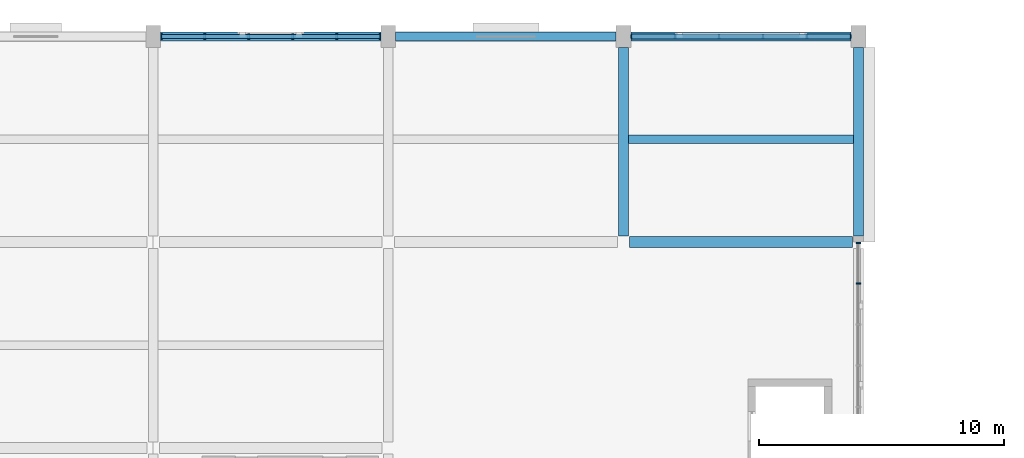
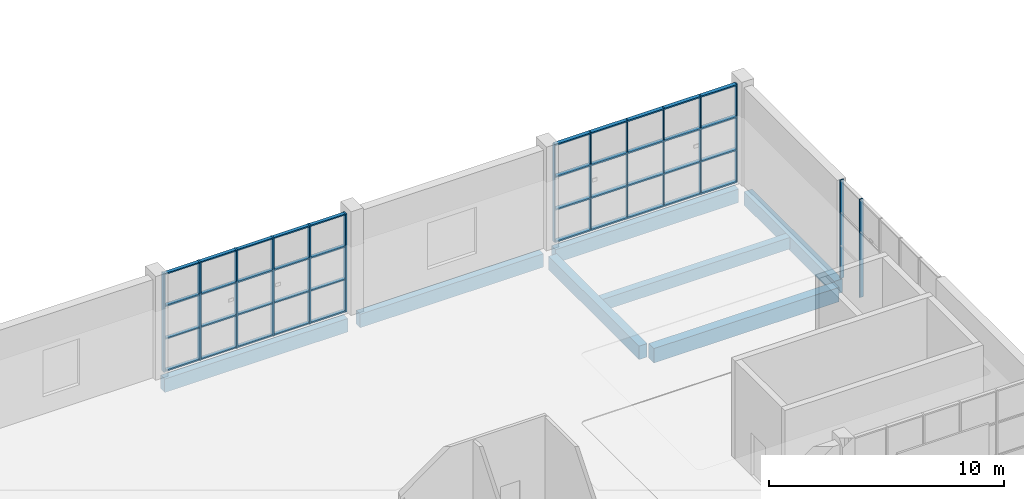
# One storey, part 21 of 57: 22 members, 7 beams, 3 elements without a shape of their own.
"""IFC4 building model written with IfcOpenShell, lengths in metres."""

from ifc_helpers import new_model, si_unit, direction, frame, origin, origin_2d, place, context, subcontext, project, spatial, rectangle, extrude, material, material_profile, profile_set, type_object, element, aggregate, save


model = new_model("IFC4")

# Units and contexts
model_context = context("Model", 3, precision=1e-05, world=origin(), true_north=direction((0.0, 1.0)))
body_context = subcontext(model_context, "Body", "Model", "MODEL_VIEW")
ifc_project = project(units=[si_unit("LENGTHUNIT", "METRE"), si_unit("AREAUNIT", "SQUARE_METRE"), si_unit("VOLUMEUNIT", "CUBIC_METRE"), si_unit("PLANEANGLEUNIT", "RADIAN"), si_unit("MASSUNIT", "GRAM", prefix="KILO")], contexts=[model_context])

# Site, building, storey
site_placement = place(None, origin())
site = spatial("IfcSite", under=ifc_project, at=site_placement, CompositionType="ELEMENT")
building_placement = place(site_placement, origin())
building = spatial("IfcBuilding", under=site, at=building_placement, Name="Shalvenor Court Art Gallery", CompositionType="ELEMENT")
storey_placement = place(building_placement, frame((0.0, 0.0, 16.800048828125)))
storey = spatial("IfcBuildingStorey", under=building, at=storey_placement, Name="L03", CompositionType="ELEMENT", Elevation=16.800048828125)

# Beams
ifc_material_1 = material(Name="Concrete C40/50", Category="concrete")
ifc_material_profile_1 = material_profile(ifc_material_1, rectangle(XDim=0.449951171875, YDim=0.75, at=origin_2d()), Name="RC 450x750")
ifc_profile_set_1 = profile_set([ifc_material_profile_1], Name="Concrete C40/50")
beam_type_1 = type_object("IfcBeamType", Name="B-04", PredefinedType="BEAM", material=ifc_profile_set_1)
beam_1_placement = place(storey_placement, frame((115.449951171875, 114.0, -0.675048828125), z_axis=(1.0, 0.0, 0.0), x_axis=(0.0, 1.0, 0.0)))
element("IfcBeam", 1, at=beam_1_placement, inside=storey, type_object=beam_type_1, Name="L03 Girder BM-L03-B-04-1119", PredefinedType="BEAM", context=body_context, shape_type="SweptSolid", body=[
    extrude(rectangle(XDim=0.449951171875, YDim=0.75, at=origin_2d()), origin(), (0.0, 0.0, 1.0), 9.10009765625),
])
ifc_material_2 = material(Name="Concrete C40/50", Category="concrete")
ifc_material_profile_2 = material_profile(ifc_material_2, rectangle(XDim=0.39990234375, YDim=0.699951171875, at=origin_2d()), Name="RC 400x700")
ifc_profile_set_2 = profile_set([ifc_material_profile_2], Name="Concrete C40/50")
beam_type_2 = type_object("IfcBeamType", Name="B-05", PredefinedType="BEAM", material=ifc_profile_set_2)
for number, where, z_axis, x_axis, name in (
    (2, (115.199951171875, 114.25, -0.650146484375), (0.0, 1.0, 0.0), (-1.0, 0.0, 0.0), "L03 Girder BM-L03-B-05-1005"),
    (3, (124.800048828125, 114.25, -0.650146484375), (0.0, 1.0, 0.0), (-1.0, 0.0, 0.0), "L03 Girder BM-L03-B-05-1012"),
):
    element("IfcBeam", number, at=place(storey_placement, frame(where, z_axis=z_axis, x_axis=x_axis)), inside=storey, type_object=beam_type_2, Name=name, PredefinedType="BEAM", context=body_context, shape_type="SweptSolid", body=[
        extrude(rectangle(XDim=0.39990234375, YDim=0.699951171875, at=origin_2d()), origin(), (0.0, 0.0, 1.0), 7.699951171875),
    ])

# Curtain wall, members
ifc_material_3 = material(Name="Anodised aluminium and low-iron glass curtain wall", Category="aluminium")
curtain_wall_type_1 = type_object("IfcCurtainWallType", Name="CW-5x3-84-51-112", PredefinedType="USERDEFINED", material=ifc_material_3)
curtain_wall_1_placement = place(storey_placement, origin())
curtain_wall_1 = element("IfcCurtainWall", 4, at=curtain_wall_1_placement, inside=storey, type_object=curtain_wall_type_1, Name="L03 V2 Curtain Wall CW-L03-084", ObjectType="CURTAIN WALL", PredefinedType="USERDEFINED")
ifc_material_4 = material(Name="Anodised aluminium mullion", Category="aluminium")
ifc_material_profile_3 = material_profile(ifc_material_4, rectangle(XDim=0.06494140625, YDim=0.179931640625, at=origin_2d()), Name="CWM-01")
ifc_profile_set_3 = profile_set([ifc_material_profile_3], Name="Anodised aluminium mullion")
member_type_1 = type_object("IfcMemberType", Name="CWM-01", PredefinedType="MULLION", material=ifc_profile_set_3)
member_1_placement = place(storey_placement, frame((124.800048828125, 113.967529296875, 0.0), z_axis=(0.0, 0.0, 1.0), x_axis=(0.0, -1.0, 0.0)))
member_1 = element("IfcMember", 5, at=member_1_placement, type_object=member_type_1, Name="CW-5x3-84-51-112 mullion 1", PredefinedType="MULLION", context=body_context, shape_type="SweptSolid", body=[
    extrude(rectangle(XDim=0.06494140625, YDim=0.179931640625, at=origin_2d()), origin(), (0.0, 0.0, 1.0), 5.099853515625),
])
member_2_placement = place(storey_placement, frame((124.800048828125, 112.320068359375, 0.0), z_axis=(0.0, 0.0, 1.0), x_axis=(0.0, -1.0, 0.0)))
member_2 = element("IfcMember", 6, at=member_2_placement, type_object=member_type_1, Name="CW-5x3-84-51-112 mullion 2", PredefinedType="MULLION", context=body_context, shape_type="SweptSolid", body=[
    extrude(rectangle(XDim=0.06494140625, YDim=0.179931640625, at=origin_2d()), origin(), (0.0, 0.0, 1.0), 5.099853515625),
])
aggregate(curtain_wall_1, [member_1, member_2])

ifc_material_5 = material(Name="Anodised aluminium and low-iron glass curtain wall", Category="aluminium")
curtain_wall_type_2 = type_object("IfcCurtainWallType", Name="CW-5x3-90-51-422", PredefinedType="USERDEFINED", material=ifc_material_5)
curtain_wall_2_placement = place(storey_placement, origin())
curtain_wall_2 = element("IfcCurtainWall", 7, at=curtain_wall_2_placement, inside=storey, type_object=curtain_wall_type_2, Name="L03 V2 Curtain Wall CW-L03-082", ObjectType="CURTAIN WALL", PredefinedType="USERDEFINED")
ifc_material_6 = material(Name="Anodised aluminium mullion", Category="aluminium")
ifc_material_profile_4 = material_profile(ifc_material_6, rectangle(XDim=0.074951171875, YDim=0.219970703125, at=origin_2d()), Name="CWM-04")
ifc_profile_set_4 = profile_set([ifc_material_profile_4], Name="Anodised aluminium mullion")
member_type_2 = type_object("IfcMemberType", Name="CWM-04", PredefinedType="MULLION", material=ifc_profile_set_4)
member_3_placement = place(storey_placement, frame((96.33740234375, 122.39990234375, 0.0), z_axis=(0.0, 0.0, 1.0), x_axis=(1.0, 0.0, 0.0)))
member_3 = element("IfcMember", 8, at=member_3_placement, type_object=member_type_2, Name="CW-5x3-90-51-422 mullion 1", PredefinedType="MULLION", context=body_context, shape_type="SweptSolid", body=[
    extrude(rectangle(XDim=0.074951171875, YDim=0.219970703125, at=origin_2d()), origin(), (0.0, 0.0, 1.0), 5.099853515625),
])
member_4_placement = place(storey_placement, frame((98.10009765625, 122.39990234375, 0.0), z_axis=(0.0, 0.0, 1.0), x_axis=(1.0, 0.0, 0.0)))
member_4 = element("IfcMember", 9, at=member_4_placement, type_object=member_type_2, Name="CW-5x3-90-51-422 mullion 2", PredefinedType="MULLION", context=body_context, shape_type="SweptSolid", body=[
    extrude(rectangle(XDim=0.074951171875, YDim=0.219970703125, at=origin_2d()), origin(), (0.0, 0.0, 1.0), 5.099853515625),
])
member_5_placement = place(storey_placement, frame((99.89990234375, 122.39990234375, 0.0), z_axis=(0.0, 0.0, 1.0), x_axis=(1.0, 0.0, 0.0)))
member_5 = element("IfcMember", 10, at=member_5_placement, type_object=member_type_2, Name="CW-5x3-90-51-422 mullion 3", PredefinedType="MULLION", context=body_context, shape_type="SweptSolid", body=[
    extrude(rectangle(XDim=0.074951171875, YDim=0.219970703125, at=origin_2d()), origin(), (0.0, 0.0, 1.0), 5.099853515625),
])
member_6_placement = place(storey_placement, frame((101.699951171875, 122.39990234375, 0.0), z_axis=(0.0, 0.0, 1.0), x_axis=(1.0, 0.0, 0.0)))
member_6 = element("IfcMember", 11, at=member_6_placement, type_object=member_type_2, Name="CW-5x3-90-51-422 mullion 4", PredefinedType="MULLION", context=body_context, shape_type="SweptSolid", body=[
    extrude(rectangle(XDim=0.074951171875, YDim=0.219970703125, at=origin_2d()), origin(), (0.0, 0.0, 1.0), 5.099853515625),
])
member_7_placement = place(storey_placement, frame((103.5, 122.39990234375, 0.0), z_axis=(0.0, 0.0, 1.0), x_axis=(1.0, 0.0, 0.0)))
member_7 = element("IfcMember", 12, at=member_7_placement, type_object=member_type_2, Name="CW-5x3-90-51-422 mullion 5", PredefinedType="MULLION", context=body_context, shape_type="SweptSolid", body=[
    extrude(rectangle(XDim=0.074951171875, YDim=0.219970703125, at=origin_2d()), origin(), (0.0, 0.0, 1.0), 5.099853515625),
])
member_8_placement = place(storey_placement, frame((105.262451171875, 122.39990234375, 0.0), z_axis=(0.0, 0.0, 1.0), x_axis=(1.0, 0.0, 0.0)))
member_8 = element("IfcMember", 13, at=member_8_placement, type_object=member_type_2, Name="CW-5x3-90-51-422 mullion 6", PredefinedType="MULLION", context=body_context, shape_type="SweptSolid", body=[
    extrude(rectangle(XDim=0.074951171875, YDim=0.219970703125, at=origin_2d()), origin(), (0.0, 0.0, 1.0), 5.099853515625),
])

ifc_material_7 = material(Name="Anodised aluminium and low-iron glass curtain wall", Category="aluminium")
curtain_wall_type_3 = type_object("IfcCurtainWallType", Name="CW-5x3-90-51-642", PredefinedType="USERDEFINED", material=ifc_material_7)
curtain_wall_3_placement = place(storey_placement, origin())
curtain_wall_3 = element("IfcCurtainWall", 14, at=curtain_wall_3_placement, inside=storey, type_object=curtain_wall_type_3, Name="L03 V2 Curtain Wall CW-L03-083", ObjectType="CURTAIN WALL", PredefinedType="USERDEFINED")
ifc_material_8 = material(Name="Anodised aluminium mullion", Category="aluminium")
ifc_material_profile_5 = material_profile(ifc_material_8, rectangle(XDim=0.054931640625, YDim=0.139892578125, at=origin_2d()), Name="CWM-06")
ifc_profile_set_5 = profile_set([ifc_material_profile_5], Name="Anodised aluminium mullion")
member_type_3 = type_object("IfcMemberType", Name="CWM-06", PredefinedType="MULLION", material=ifc_profile_set_5)
member_9_placement = place(storey_placement, frame((115.527587890625, 122.39990234375, 0.0), z_axis=(0.0, 0.0, 1.0), x_axis=(1.0, 0.0, 0.0)))
member_9 = element("IfcMember", 15, at=member_9_placement, type_object=member_type_3, Name="CW-5x3-90-51-642 mullion 1", PredefinedType="MULLION", context=body_context, shape_type="SweptSolid", body=[
    extrude(rectangle(XDim=0.054931640625, YDim=0.139892578125, at=origin_2d()), origin(), (0.0, 0.0, 1.0), 5.099853515625),
])
member_10_placement = place(storey_placement, frame((117.300048828125, 122.39990234375, 0.0), z_axis=(0.0, 0.0, 1.0), x_axis=(1.0, 0.0, 0.0)))
member_10 = element("IfcMember", 16, at=member_10_placement, type_object=member_type_3, Name="CW-5x3-90-51-642 mullion 2", PredefinedType="MULLION", context=body_context, shape_type="SweptSolid", body=[
    extrude(rectangle(XDim=0.054931640625, YDim=0.139892578125, at=origin_2d()), origin(), (0.0, 0.0, 1.0), 5.099853515625),
])
member_11_placement = place(storey_placement, frame((119.10009765625, 122.39990234375, 0.0), z_axis=(0.0, 0.0, 1.0), x_axis=(1.0, 0.0, 0.0)))
member_11 = element("IfcMember", 17, at=member_11_placement, type_object=member_type_3, Name="CW-5x3-90-51-642 mullion 3", PredefinedType="MULLION", context=body_context, shape_type="SweptSolid", body=[
    extrude(rectangle(XDim=0.054931640625, YDim=0.139892578125, at=origin_2d()), origin(), (0.0, 0.0, 1.0), 5.099853515625),
])
member_12_placement = place(storey_placement, frame((120.89990234375, 122.39990234375, 0.0), z_axis=(0.0, 0.0, 1.0), x_axis=(1.0, 0.0, 0.0)))
member_12 = element("IfcMember", 18, at=member_12_placement, type_object=member_type_3, Name="CW-5x3-90-51-642 mullion 4", PredefinedType="MULLION", context=body_context, shape_type="SweptSolid", body=[
    extrude(rectangle(XDim=0.054931640625, YDim=0.139892578125, at=origin_2d()), origin(), (0.0, 0.0, 1.0), 5.099853515625),
])
member_13_placement = place(storey_placement, frame((122.699951171875, 122.39990234375, 0.0), z_axis=(0.0, 0.0, 1.0), x_axis=(1.0, 0.0, 0.0)))
member_13 = element("IfcMember", 19, at=member_13_placement, type_object=member_type_3, Name="CW-5x3-90-51-642 mullion 5", PredefinedType="MULLION", context=body_context, shape_type="SweptSolid", body=[
    extrude(rectangle(XDim=0.054931640625, YDim=0.139892578125, at=origin_2d()), origin(), (0.0, 0.0, 1.0), 5.099853515625),
])
member_14_placement = place(storey_placement, frame((124.472412109375, 122.39990234375, 0.0), z_axis=(0.0, 0.0, 1.0), x_axis=(1.0, 0.0, 0.0)))
member_14 = element("IfcMember", 20, at=member_14_placement, type_object=member_type_3, Name="CW-5x3-90-51-642 mullion 6", PredefinedType="MULLION", context=body_context, shape_type="SweptSolid", body=[
    extrude(rectangle(XDim=0.054931640625, YDim=0.139892578125, at=origin_2d()), origin(), (0.0, 0.0, 1.0), 5.099853515625),
])

# Member
ifc_material_9 = material(Name="Anodised aluminium transom", Category="aluminium")
ifc_material_profile_6 = material_profile(ifc_material_9, rectangle(XDim=0.169921875, YDim=0.06494140625, at=origin_2d()), Name="CWT-02")
ifc_profile_set_6 = profile_set([ifc_material_profile_6], Name="Anodised aluminium transom")
member_type_4 = type_object("IfcMemberType", Name="CWT-02", PredefinedType="USERDEFINED", material=ifc_profile_set_6)
member_15_placement = place(storey_placement, frame((96.33740234375, 122.39990234375, 0.032470703125), z_axis=(1.0, 0.0, 0.0), x_axis=(0.0, 1.0, 0.0)))
member_15 = element("IfcMember", 21, at=member_15_placement, type_object=member_type_4, Name="CW-5x3-90-51-422 transom 1", ObjectType="TRANSOM", PredefinedType="USERDEFINED", context=body_context, shape_type="SweptSolid", body=[
    extrude(rectangle(XDim=0.169921875, YDim=0.06494140625, at=origin_2d()), origin(), (0.0, 0.0, 1.0), 8.925048828125),
])

member_16_placement = place(storey_placement, frame((96.33740234375, 122.39990234375, 1.699951171875), z_axis=(1.0, 0.0, 0.0), x_axis=(0.0, 1.0, 0.0)))
member_16 = element("IfcMember", 22, at=member_16_placement, type_object=member_type_4, Name="CW-5x3-90-51-422 transom 2", ObjectType="TRANSOM", PredefinedType="USERDEFINED", context=body_context, shape_type="SweptSolid", body=[
    extrude(rectangle(XDim=0.169921875, YDim=0.06494140625, at=origin_2d()), origin(), (0.0, 0.0, 1.0), 8.925048828125),
])

member_17_placement = place(storey_placement, frame((96.33740234375, 122.39990234375, 3.39990234375), z_axis=(1.0, 0.0, 0.0), x_axis=(0.0, 1.0, 0.0)))
member_17 = element("IfcMember", 23, at=member_17_placement, type_object=member_type_4, Name="CW-5x3-90-51-422 transom 3", ObjectType="TRANSOM", PredefinedType="USERDEFINED", context=body_context, shape_type="SweptSolid", body=[
    extrude(rectangle(XDim=0.169921875, YDim=0.06494140625, at=origin_2d()), origin(), (0.0, 0.0, 1.0), 8.925048828125),
])

member_18_placement = place(storey_placement, frame((96.33740234375, 122.39990234375, 5.0673828125), z_axis=(1.0, 0.0, 0.0), x_axis=(0.0, 1.0, 0.0)))
member_18 = element("IfcMember", 24, at=member_18_placement, type_object=member_type_4, Name="CW-5x3-90-51-422 transom 4", ObjectType="TRANSOM", PredefinedType="USERDEFINED", context=body_context, shape_type="SweptSolid", body=[
    extrude(rectangle(XDim=0.169921875, YDim=0.06494140625, at=origin_2d()), origin(), (0.0, 0.0, 1.0), 8.925048828125),
])

aggregate(curtain_wall_2, [member_3, member_4, member_5, member_6, member_7, member_8, member_15, member_16, member_17, member_18])

ifc_material_10 = material(Name="Anodised aluminium transom", Category="aluminium")
ifc_material_profile_7 = material_profile(ifc_material_10, rectangle(XDim=0.18994140625, YDim=0.070068359375, at=origin_2d()), Name="CWT-04")
ifc_profile_set_7 = profile_set([ifc_material_profile_7], Name="Anodised aluminium transom")
member_type_5 = type_object("IfcMemberType", Name="CWT-04", PredefinedType="USERDEFINED", material=ifc_profile_set_7)
member_19_placement = place(storey_placement, frame((115.527587890625, 122.39990234375, 0.034912109375), z_axis=(1.0, 0.0, 0.0), x_axis=(0.0, 1.0, 0.0)))
member_19 = element("IfcMember", 25, at=member_19_placement, type_object=member_type_5, Name="CW-5x3-90-51-642 transom 1", ObjectType="TRANSOM", PredefinedType="USERDEFINED", context=body_context, shape_type="SweptSolid", body=[
    extrude(rectangle(XDim=0.18994140625, YDim=0.070068359375, at=origin_2d()), origin(), (0.0, 0.0, 1.0), 8.94482421875),
])

member_20_placement = place(storey_placement, frame((115.527587890625, 122.39990234375, 1.699951171875), z_axis=(1.0, 0.0, 0.0), x_axis=(0.0, 1.0, 0.0)))
member_20 = element("IfcMember", 26, at=member_20_placement, type_object=member_type_5, Name="CW-5x3-90-51-642 transom 2", ObjectType="TRANSOM", PredefinedType="USERDEFINED", context=body_context, shape_type="SweptSolid", body=[
    extrude(rectangle(XDim=0.18994140625, YDim=0.070068359375, at=origin_2d()), origin(), (0.0, 0.0, 1.0), 8.94482421875),
])

member_21_placement = place(storey_placement, frame((115.527587890625, 122.39990234375, 3.39990234375), z_axis=(1.0, 0.0, 0.0), x_axis=(0.0, 1.0, 0.0)))
member_21 = element("IfcMember", 27, at=member_21_placement, type_object=member_type_5, Name="CW-5x3-90-51-642 transom 3", ObjectType="TRANSOM", PredefinedType="USERDEFINED", context=body_context, shape_type="SweptSolid", body=[
    extrude(rectangle(XDim=0.18994140625, YDim=0.070068359375, at=origin_2d()), origin(), (0.0, 0.0, 1.0), 8.94482421875),
])

member_22_placement = place(storey_placement, frame((115.527587890625, 122.39990234375, 5.06494140625), z_axis=(1.0, 0.0, 0.0), x_axis=(0.0, 1.0, 0.0)))
member_22 = element("IfcMember", 28, at=member_22_placement, type_object=member_type_5, Name="CW-5x3-90-51-642 transom 4", ObjectType="TRANSOM", PredefinedType="USERDEFINED", context=body_context, shape_type="SweptSolid", body=[
    extrude(rectangle(XDim=0.18994140625, YDim=0.070068359375, at=origin_2d()), origin(), (0.0, 0.0, 1.0), 8.94482421875),
])

aggregate(curtain_wall_3, [member_9, member_10, member_11, member_12, member_13, member_14, member_19, member_20, member_21, member_22])

# Beams
ifc_material_11 = material(Name="Concrete C40/50", Category="concrete")
ifc_material_profile_8 = material_profile(ifc_material_11, rectangle(XDim=0.35009765625, YDim=0.60009765625, at=origin_2d()), Name="RC 350x600")
ifc_profile_set_8 = profile_set([ifc_material_profile_8], Name="Concrete C40/50")
beam_type_3 = type_object("IfcBeamType", Name="J-01", PredefinedType="JOIST", material=ifc_profile_set_8)
beam_2_placement = place(storey_placement, frame((115.39990234375, 118.199951171875, -0.60009765625), z_axis=(1.0, 0.0, 0.0), x_axis=(0.0, 1.0, 0.0)))
element("IfcBeam", 29, at=beam_2_placement, inside=storey, type_object=beam_type_3, Name="L03 Secondary Beam JST-L03-J-01-1151", PredefinedType="JOIST", context=body_context, shape_type="SweptSolid", body=[
    extrude(rectangle(XDim=0.35009765625, YDim=0.60009765625, at=origin_2d()), origin(), (0.0, 0.0, 1.0), 9.2001953125),
])
ifc_material_12 = material(Name="Concrete C40/50", Category="concrete")
ifc_material_profile_9 = material_profile(ifc_material_12, rectangle(XDim=0.35009765625, YDim=0.699951171875, at=origin_2d()), Name="RC 350x700")
ifc_profile_set_9 = profile_set([ifc_material_profile_9], Name="Concrete C40/50")
beam_type_4 = type_object("IfcBeamType", Name="SP-01", PredefinedType="SPANDREL", material=ifc_profile_set_9)
for number, where, z_axis, x_axis, name in (
    (30, (96.300048828125, 122.39990234375, -0.650146484375), (1.0, 0.0, 0.0), (0.0, 1.0, 0.0), "L03 Spandrel Girder BM-L03-SP-01-1127"),
    (31, (105.89990234375, 122.39990234375, -0.650146484375), (1.0, 0.0, 0.0), (0.0, 1.0, 0.0), "L03 Spandrel Girder BM-L03-SP-01-1128"),
    (32, (115.5, 122.39990234375, -0.650146484375), (1.0, 0.0, 0.0), (0.0, 1.0, 0.0), "L03 Spandrel Girder BM-L03-SP-01-1129"),
):
    element("IfcBeam", number, at=place(storey_placement, frame(where, z_axis=z_axis, x_axis=x_axis)), inside=storey, type_object=beam_type_4, Name=name, PredefinedType="SPANDREL", context=body_context, shape_type="SweptSolid", body=[
        extrude(rectangle(XDim=0.35009765625, YDim=0.699951171875, at=origin_2d()), origin(), (0.0, 0.0, 1.0), 9.0),
    ])

save(model, "model.ifc")
